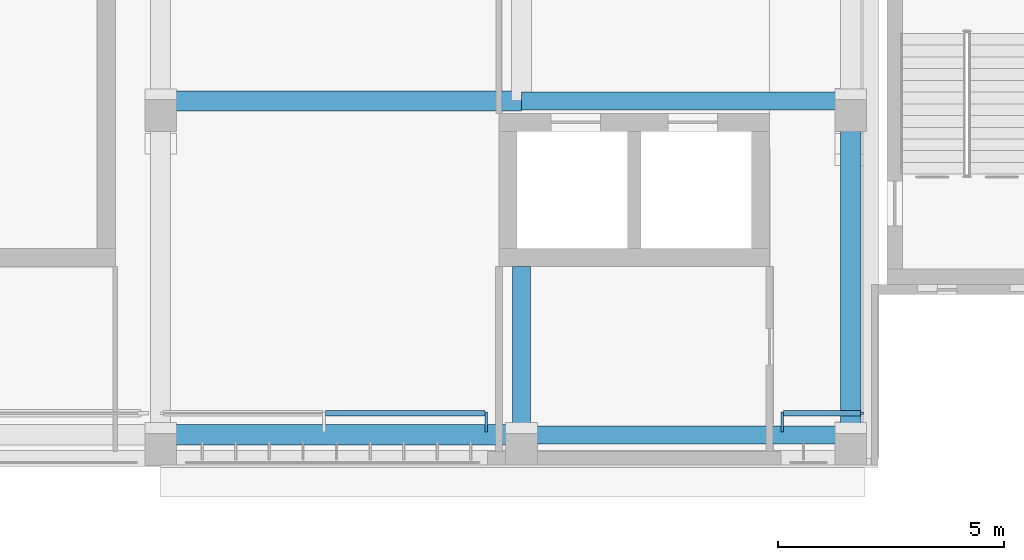
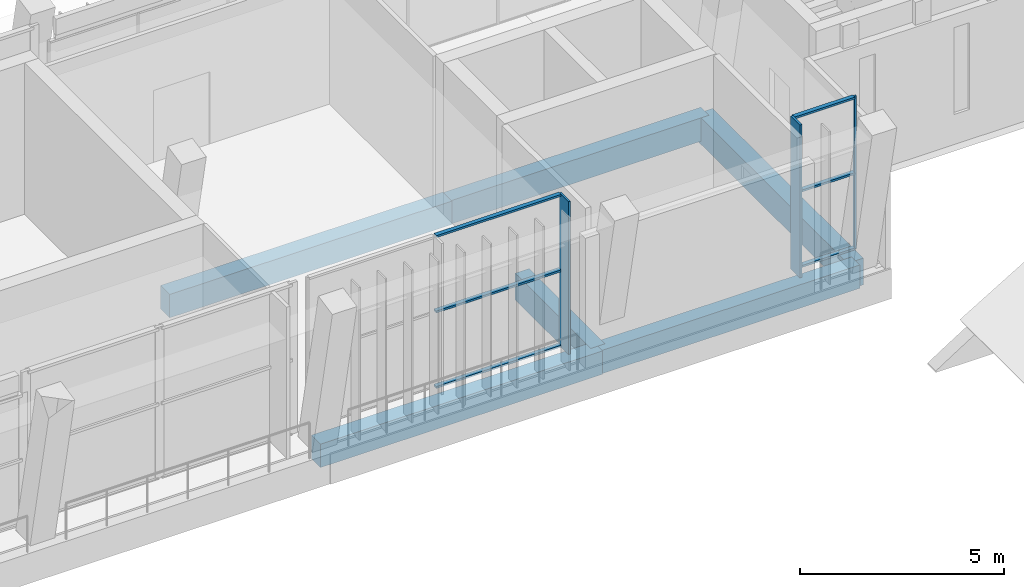
# One storey, part 12 of 74: 9 members, 6 beams, 2 elements without a shape of their own.
"""IFC4 building model written with IfcOpenShell, lengths in metres."""

from ifc_helpers import new_model, si_unit, direction, frame, origin, origin_2d, place, context, subcontext, project, spatial, rectangle, extrude, material, material_profile, profile_set, type_object, element, aggregate, save


model = new_model("IFC4")

# Units and contexts
model_context = context("Model", 3, precision=1e-05, world=origin(), true_north=direction((0.0, 1.0)))
body_context = subcontext(model_context, "Body", "Model", "MODEL_VIEW")
ifc_project = project(units=[si_unit("LENGTHUNIT", "METRE"), si_unit("AREAUNIT", "SQUARE_METRE"), si_unit("VOLUMEUNIT", "CUBIC_METRE"), si_unit("PLANEANGLEUNIT", "RADIAN"), si_unit("MASSUNIT", "GRAM", prefix="KILO")], contexts=[model_context])

# Site, building, storey
site_placement = place(None, origin())
site = spatial("IfcSite", under=ifc_project, at=site_placement, CompositionType="ELEMENT")
building_placement = place(site_placement, origin())
building = spatial("IfcBuilding", under=site, at=building_placement, Name="Lantern Court Media Centre", CompositionType="ELEMENT")
storey_placement = place(building_placement, frame((0.0, 0.0, 19.199951171875)))
storey = spatial("IfcBuildingStorey", under=building, at=storey_placement, Name="L04", CompositionType="ELEMENT", Elevation=19.199951171875)

# Curtain wall, member
ifc_material_1 = material(Name="Curtain wall bay 3000")
curtain_wall_type = type_object("IfcCurtainWallType", Name="Curtain wall bay 3000", PredefinedType="NOTDEFINED", material=ifc_material_1)
curtain_wall_1_placement = place(storey_placement, origin())
curtain_wall_1 = element("IfcCurtainWall", 1, at=curtain_wall_1_placement, inside=storey, type_object=curtain_wall_type, Name="Curtain wall S outer L04", PredefinedType="NOTDEFINED")
ifc_material_2 = material(Name="Anodised aluminium", Category="aluminium")
ifc_material_profile_1 = material_profile(ifc_material_2, rectangle(XDim=0.449951171875, YDim=0.06005859375, at=origin_2d()), Name="AL 60x450")
ifc_profile_set_1 = profile_set([ifc_material_profile_1], Name="Anodised aluminium")
member_type_1 = type_object("IfcMemberType", Name="Curtain wall mullion 60x450", PredefinedType="MULLION", material=ifc_profile_set_1)
member_1_placement = place(storey_placement, frame((71.219970703125, 44.955078125, 0.0), z_axis=(0.0, 0.0, 1.0), x_axis=(0.0, 1.0, 0.0)))
member_1 = element("IfcMember", 2, at=member_1_placement, type_object=member_type_1, Name="CW1 mullion 3", PredefinedType="MULLION", context=body_context, shape_type="SweptSolid", body=[
    extrude(rectangle(XDim=0.449951171875, YDim=0.06005859375, at=origin_2d()), origin(), (0.0, 0.0, 1.0), 4.580078125),
])

# Curtain wall, members
curtain_wall_2_placement = place(storey_placement, origin())
curtain_wall_2 = element("IfcCurtainWall", 3, at=curtain_wall_2_placement, inside=storey, type_object=curtain_wall_type, Name="Curtain wall S outer L04", PredefinedType="NOTDEFINED")
member_2_placement = place(storey_placement, frame((77.780029296875, 44.955078125, 0.0), z_axis=(0.0, 0.0, 1.0), x_axis=(0.0, 1.0, 0.0)))
member_2 = element("IfcMember", 4, at=member_2_placement, type_object=member_type_1, Name="CW1 mullion 1", PredefinedType="MULLION", context=body_context, shape_type="SweptSolid", body=[
    extrude(rectangle(XDim=0.449951171875, YDim=0.06005859375, at=origin_2d()), origin(), (0.0, 0.0, 1.0), 4.580078125),
])
ifc_material_profile_2 = material_profile(ifc_material_2, rectangle(XDim=0.06005859375, YDim=0.06005859375, at=origin_2d()), Name="AL 60x60")
ifc_profile_set_2 = profile_set([ifc_material_profile_2], Name="Anodised aluminium")
member_type_2 = type_object("IfcMemberType", Name="Curtain wall mullion 60x60", PredefinedType="MULLION", material=ifc_profile_set_2)
member_3_placement = place(storey_placement, frame((79.550048828125, 45.14990234375, 0.0), z_axis=(0.0, 0.0, 1.0), x_axis=(0.0, 1.0, 0.0)))
member_3 = element("IfcMember", 5, at=member_3_placement, type_object=member_type_2, Name="CW1 mullion 2", PredefinedType="MULLION", context=body_context, shape_type="SweptSolid", body=[
    extrude(rectangle(XDim=0.06005859375, YDim=0.06005859375, at=origin_2d()), origin(), (0.0, 0.0, 1.0), 4.580078125),
])

# Member
ifc_material_profile_3 = material_profile(ifc_material_2, rectangle(XDim=0.1201171875, YDim=0.06005859375, at=origin_2d()), Name="AL 60x120")
ifc_profile_set_3 = profile_set([ifc_material_profile_3], Name="Anodised aluminium")
member_type_3 = type_object("IfcMemberType", Name="Curtain wall transom 60x120", PredefinedType="USERDEFINED", material=ifc_profile_set_3)
member_4_placement = place(storey_placement, frame((67.655029296875, 45.14990234375, 0.030029296875), z_axis=(1.0, 0.0, 0.0), x_axis=(0.0, 1.0, 0.0)))
member_4 = element("IfcMember", 6, at=member_4_placement, type_object=member_type_3, Name="CW1 transom 2.1", ObjectType="TRANSOM", PredefinedType="USERDEFINED", context=body_context, shape_type="SweptSolid", body=[
    extrude(rectangle(XDim=0.1201171875, YDim=0.06005859375, at=origin_2d()), origin(), (0.0, 0.0, 1.0), 3.534912109375),
])

member_5_placement = place(storey_placement, frame((67.655029296875, 45.14990234375, 2.2900390625), z_axis=(1.0, 0.0, 0.0), x_axis=(0.0, 1.0, 0.0)))
member_5 = element("IfcMember", 7, at=member_5_placement, type_object=member_type_3, Name="CW1 transom 2.2", ObjectType="TRANSOM", PredefinedType="USERDEFINED", context=body_context, shape_type="SweptSolid", body=[
    extrude(rectangle(XDim=0.1201171875, YDim=0.06005859375, at=origin_2d()), origin(), (0.0, 0.0, 1.0), 3.534912109375),
])

member_6_placement = place(storey_placement, frame((67.655029296875, 45.14990234375, 4.550048828125), z_axis=(1.0, 0.0, 0.0), x_axis=(0.0, 1.0, 0.0)))
member_6 = element("IfcMember", 8, at=member_6_placement, type_object=member_type_3, Name="CW1 transom 2.3", ObjectType="TRANSOM", PredefinedType="USERDEFINED", context=body_context, shape_type="SweptSolid", body=[
    extrude(rectangle(XDim=0.1201171875, YDim=0.06005859375, at=origin_2d()), origin(), (0.0, 0.0, 1.0), 3.534912109375),
])

aggregate(curtain_wall_1, [member_1, member_4, member_5, member_6])

member_7_placement = place(storey_placement, frame((77.81005859375, 45.14990234375, 0.030029296875), z_axis=(1.0, 0.0, 0.0), x_axis=(0.0, 1.0, 0.0)))
member_7 = element("IfcMember", 9, at=member_7_placement, type_object=member_type_3, Name="CW1 transom 1.1", ObjectType="TRANSOM", PredefinedType="USERDEFINED", context=body_context, shape_type="SweptSolid", body=[
    extrude(rectangle(XDim=0.1201171875, YDim=0.06005859375, at=origin_2d()), origin(), (0.0, 0.0, 1.0), 1.7099609375),
])

member_8_placement = place(storey_placement, frame((77.81005859375, 45.14990234375, 2.2900390625), z_axis=(1.0, 0.0, 0.0), x_axis=(0.0, 1.0, 0.0)))
member_8 = element("IfcMember", 10, at=member_8_placement, type_object=member_type_3, Name="CW1 transom 1.2", ObjectType="TRANSOM", PredefinedType="USERDEFINED", context=body_context, shape_type="SweptSolid", body=[
    extrude(rectangle(XDim=0.1201171875, YDim=0.06005859375, at=origin_2d()), origin(), (0.0, 0.0, 1.0), 1.7099609375),
])

member_9_placement = place(storey_placement, frame((77.81005859375, 45.14990234375, 4.550048828125), z_axis=(1.0, 0.0, 0.0), x_axis=(0.0, 1.0, 0.0)))
member_9 = element("IfcMember", 11, at=member_9_placement, type_object=member_type_3, Name="CW1 transom 1.3", ObjectType="TRANSOM", PredefinedType="USERDEFINED", context=body_context, shape_type="SweptSolid", body=[
    extrude(rectangle(XDim=0.1201171875, YDim=0.06005859375, at=origin_2d()), origin(), (0.0, 0.0, 1.0), 1.7099609375),
])

aggregate(curtain_wall_2, [member_2, member_3, member_7, member_8, member_9])

# Beams
ifc_material_3 = material(Name="Concrete C35", Category="concrete")
ifc_material_profile_4 = material_profile(ifc_material_3, rectangle(XDim=0.39990234375, YDim=0.699951171875, at=origin_2d()), Name="RC 400x700")
ifc_profile_set_4 = profile_set([ifc_material_profile_4], Name="Concrete C35")
beam_type_1 = type_object("IfcBeamType", Name="RC BEAM 400x700", PredefinedType="BEAM", material=ifc_profile_set_4)
for number, where, z_axis, x_axis, name in (
    (12, (72.0, 44.6728515625, -0.349853515625), (1.0, 0.0, 0.0), (0.0, 1.0, 0.0), "LB-S-L04-0-6"),
    (13, (72.0, 52.072998046875, -0.349853515625), (1.0, 0.0, 0.0), (0.0, 1.0, 0.0), "LB-S-L04-1-6"),
):
    element("IfcBeam", number, at=place(storey_placement, frame(where, z_axis=z_axis, x_axis=x_axis)), inside=storey, type_object=beam_type_1, Name=name, PredefinedType="BEAM", context=body_context, shape_type="SweptSolid", body=[
        extrude(rectangle(XDim=0.39990234375, YDim=0.699951171875, at=origin_2d()), origin(), (0.0, 0.0, 1.0), 7.300048828125),
    ])
ifc_material_profile_5 = material_profile(ifc_material_3, rectangle(XDim=0.39990234375, YDim=0.800048828125, at=origin_2d()), Name="RC 400x800")
ifc_profile_set_5 = profile_set([ifc_material_profile_5], Name="Concrete C35")
beam_type_2 = type_object("IfcBeamType", Name="RC BEAM 400x800", PredefinedType="BEAM", material=ifc_profile_set_5)
beam_1_placement = place(storey_placement, frame((72.0, 44.683349609375, -0.39990234375), z_axis=(0.0, 1.0, 0.0), x_axis=(-1.0, 0.0, 0.0)))
element("IfcBeam", 14, at=beam_1_placement, inside=storey, type_object=beam_type_2, Name="TB-S-L04-6-1", PredefinedType="BEAM", context=body_context, shape_type="SweptSolid", body=[
    extrude(rectangle(XDim=0.39990234375, YDim=0.800048828125, at=origin_2d()), origin(), (0.0, 0.0, 1.0), 3.716552734375),
])
ifc_material_profile_6 = material_profile(ifc_material_3, rectangle(XDim=0.449951171875, YDim=0.699951171875, at=origin_2d()), Name="RC 450x700")
ifc_profile_set_6 = profile_set([ifc_material_profile_6], Name="Concrete C35")
beam_type_3 = type_object("IfcBeamType", Name="RC BEAM 450x700", PredefinedType="BEAM", material=ifc_profile_set_6)
for number, where, z_axis, x_axis, name in (
    (15, (64.0, 44.6728515625, -0.349853515625), (1.0, 0.0, 0.0), (0.0, 1.0, 0.0), "LB-S-L04-0-5"),
    (16, (64.0, 52.072998046875, -0.349853515625), (1.0, 0.0, 0.0), (0.0, 1.0, 0.0), "LB-S-L04-1-5"),
):
    element("IfcBeam", number, at=place(storey_placement, frame(where, z_axis=z_axis, x_axis=x_axis)), inside=storey, type_object=beam_type_3, Name=name, PredefinedType="BEAM", context=body_context, shape_type="SweptSolid", body=[
        extrude(rectangle(XDim=0.449951171875, YDim=0.699951171875, at=origin_2d()), origin(), (0.0, 0.0, 1.0), 8.0),
    ])
ifc_material_profile_7 = material_profile(ifc_material_3, rectangle(XDim=0.449951171875, YDim=0.800048828125, at=origin_2d()), Name="RC 450x800")
ifc_profile_set_7 = profile_set([ifc_material_profile_7], Name="Concrete C35")
beam_type_4 = type_object("IfcBeamType", Name="RC BEAM 450x800", PredefinedType="BEAM", material=ifc_profile_set_7)
beam_2_placement = place(storey_placement, frame((79.300048828125, 44.683349609375, -0.39990234375), z_axis=(0.0, 1.0, 0.0), x_axis=(-1.0, 0.0, 0.0)))
element("IfcBeam", 17, at=beam_2_placement, inside=storey, type_object=beam_type_4, Name="TB-S-L04-7-1", PredefinedType="BEAM", context=body_context, shape_type="SweptSolid", body=[
    extrude(rectangle(XDim=0.449951171875, YDim=0.800048828125, at=origin_2d()), origin(), (0.0, 0.0, 1.0), 7.39990234375),
])

save(model, "model.ifc")
